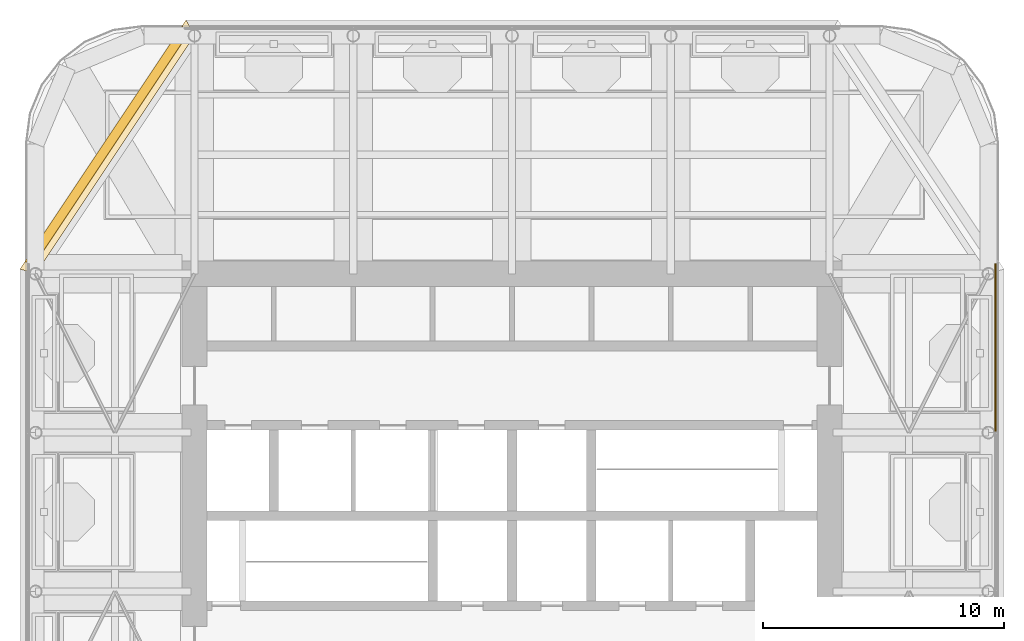
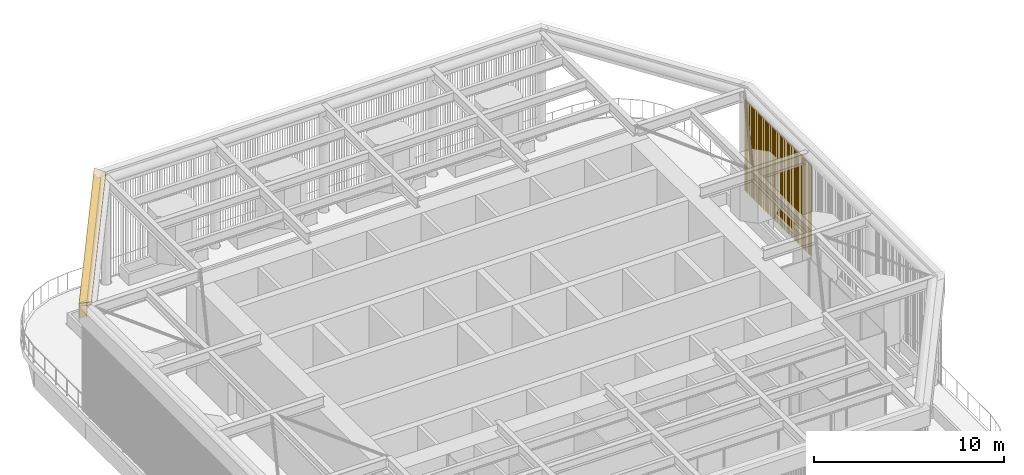
# One storey, part 17 of 22: 3 coverings.
"""IFC4 building model written with IfcOpenShell, lengths in metres."""

from ifc_helpers import new_model, si_unit, direction, frame, origin, place, context, subcontext, project, spatial, polyline, outline, extrude, material, layer, layer_set, type_object, element, save


model = new_model("IFC4")

# Units and contexts
model_context = context("Model", 3, precision=1e-05, world=origin(), true_north=direction((0.0, 1.0)))
body_context = subcontext(model_context, "Body", "Model", "MODEL_VIEW")
ifc_project = project(units=[si_unit("LENGTHUNIT", "METRE"), si_unit("AREAUNIT", "SQUARE_METRE"), si_unit("VOLUMEUNIT", "CUBIC_METRE"), si_unit("PLANEANGLEUNIT", "RADIAN"), si_unit("MASSUNIT", "GRAM", prefix="KILO")], contexts=[model_context])

# Site, building, storey
site_placement = place(None, origin())
site = spatial("IfcSite", under=ifc_project, at=site_placement, CompositionType="ELEMENT")
building_placement = place(site_placement, origin())
building = spatial("IfcBuilding", under=site, at=building_placement, Name="Cobogo Forest Laboratory Tower", CompositionType="ELEMENT")
storey_placement = place(building_placement, frame((0.0, 0.0, 292.800048828125)))
storey = spatial("IfcBuildingStorey", under=building, at=storey_placement, Name="RF", CompositionType="ELEMENT", Elevation=292.800048828125)

# Coverings
ifc_material_1 = material(Name="Terracotta rainscreen panels on steel brackets", Category="masonry")
ifc_layer_1 = layer(ifc_material_1, 0.389892578125)
ifc_layer_set_1 = layer_set([ifc_layer_1], Name="CF1 crown terracotta fascia 390")
covering_type_1 = type_object("IfcCoveringType", Name="CF1 crown terracotta fascia 390", PredefinedType="CLADDING", material=ifc_layer_set_1)
covering_1_placement = place(storey_placement, frame((0.0, 0.0, 5.89990234375)))
element("IfcCovering", 1, at=covering_1_placement, inside=storey, type_object=covering_type_1, Name="Crown fascia NW", PredefinedType="CLADDING", context=body_context, shape_type="SweptSolid", body=[
    extrude(outline(polyline([(12.699951171875, 43.32177734375), (5.949951171875, 33.19677734375), (6.152099609375, 33.5), (6.60009765625, 33.5), (6.60009765625, 33.46875), (6.340087890625, 33.07861328125), (12.887451171875, 42.89990234375), (12.699951171875, 42.89990234375), (12.699951171875, 43.32177734375)])), origin(), (0.0, 0.0, 1.0), 1.00048828125),
])
ifc_material_2 = material(Name="Terracotta coping on steel brackets", Category="masonry")
ifc_layer_2 = layer(ifc_material_2, 0.199951171875)
ifc_layer_set_2 = layer_set([ifc_layer_2], Name="CF2 crown fascia coping 650")
covering_type_2 = type_object("IfcCoveringType", Name="CF2 crown fascia coping 650", PredefinedType="CLADDING", material=ifc_layer_set_2)
covering_2_placement = place(storey_placement, frame((0.0, 0.0, 6.900390625)))
element("IfcCovering", 2, at=covering_2_placement, inside=storey, type_object=covering_type_2, Name="Crown fascia coping NW", PredefinedType="CLADDING", context=body_context, shape_type="SweptSolid", body=[
    extrude(outline(polyline([(13.199951171875, 42.89990234375), (12.85205078125, 43.550048828125), (5.949951171875, 33.19677734375), (6.60009765625, 33.0), (13.199951171875, 42.89990234375)])), origin(), (0.0, 0.0, 1.0), 0.199462890625),
])
ifc_material_3 = material(Name="Terracotta baguettes on a galvanised steel top rail", Category="masonry")
covering_type_3 = type_object("IfcCoveringType", Name="CS1 crown terracotta baguette screen", PredefinedType="CLADDING", material=ifc_material_3)
covering_3_placement = place(storey_placement, frame((46.5, 26.47509765625, -0.0009765625)))
element("IfcCovering", 3, at=covering_3_placement, inside=storey, type_object=covering_type_3, Name="Crown screen E3", PredefinedType="CLADDING", context=body_context, shape_type="SweptSolid", body=[
    extrude(outline(polyline([(0.02880859375, 0.011962890625), (0.011962890625, 0.02880859375), (-0.011962890625, 0.02880859375), (-0.02880859375, 0.011962890625), (-0.02880859375, -0.011962890625), (-0.011962890625, -0.02880859375), (0.011962890625, -0.02880859375), (0.02880859375, -0.011962890625), (0.02880859375, 0.011962890625)])), frame((0.0, 0.0, 5.873046875), z_axis=(0.0, 1.0, 0.0), x_axis=(-1.0, 0.0, 0.0)), (0.0, 0.0, 1.0), 6.9248046875),
    extrude(outline(polyline([(0.02880859375, 0.011962890625), (0.011962890625, 0.02880859375), (-0.011962890625, 0.02880859375), (-0.02880859375, 0.011962890625), (-0.02880859375, -0.011962890625), (-0.011962890625, -0.02880859375), (0.011962890625, -0.02880859375), (0.02880859375, -0.011962890625), (0.02880859375, 0.011962890625)])), origin(), (0.0, 0.0, 1.0), 5.841796875),
    extrude(outline(polyline([(0.02880859375, 0.011962890625), (0.011962890625, 0.02880859375), (-0.011962890625, 0.02880859375), (-0.02880859375, 0.011962890625), (-0.02880859375, -0.011962890625), (-0.011962890625, -0.02880859375), (0.011962890625, -0.02880859375), (0.02880859375, -0.011962890625), (0.02880859375, 0.011962890625)])), frame((0.0, 0.147216796875, 0.0)), (0.0, 0.0, 1.0), 5.841796875),
    extrude(outline(polyline([(0.02880859375, 0.011962890625), (0.011962890625, 0.02880859375), (-0.011962890625, 0.02880859375), (-0.02880859375, 0.011962890625), (-0.02880859375, -0.011962890625), (-0.011962890625, -0.02880859375), (0.011962890625, -0.02880859375), (0.02880859375, -0.011962890625), (0.02880859375, 0.011962890625)])), frame((0.0, 0.294677734375, 0.0)), (0.0, 0.0, 1.0), 5.841796875),
    extrude(outline(polyline([(0.02880859375, 0.011962890625), (0.011962890625, 0.02880859375), (-0.011962890625, 0.02880859375), (-0.02880859375, 0.011962890625), (-0.02880859375, -0.011962890625), (-0.011962890625, -0.02880859375), (0.011962890625, -0.02880859375), (0.02880859375, -0.011962890625), (0.02880859375, 0.011962890625)])), frame((0.0, 0.44189453125, 0.0)), (0.0, 0.0, 1.0), 5.841796875),
    extrude(outline(polyline([(0.02880859375, 0.011962890625), (0.011962890625, 0.02880859375), (-0.011962890625, 0.02880859375), (-0.02880859375, 0.011962890625), (-0.02880859375, -0.011962890625), (-0.011962890625, -0.02880859375), (0.011962890625, -0.02880859375), (0.02880859375, -0.011962890625), (0.02880859375, 0.011962890625)])), frame((0.0, 0.58935546875, 0.0)), (0.0, 0.0, 1.0), 5.841796875),
    extrude(outline(polyline([(0.02880859375, 0.011962890625), (0.011962890625, 0.02880859375), (-0.011962890625, 0.02880859375), (-0.02880859375, 0.011962890625), (-0.02880859375, -0.011962890625), (-0.011962890625, -0.02880859375), (0.011962890625, -0.02880859375), (0.02880859375, -0.011962890625), (0.02880859375, 0.011962890625)])), frame((0.0, 0.736572265625, 0.0)), (0.0, 0.0, 1.0), 5.841796875),
    extrude(outline(polyline([(0.02880859375, 0.011962890625), (0.011962890625, 0.02880859375), (-0.011962890625, 0.02880859375), (-0.02880859375, 0.011962890625), (-0.02880859375, -0.011962890625), (-0.011962890625, -0.02880859375), (0.011962890625, -0.02880859375), (0.02880859375, -0.011962890625), (0.02880859375, 0.011962890625)])), frame((0.0, 0.884033203125, 0.0)), (0.0, 0.0, 1.0), 5.841796875),
    extrude(outline(polyline([(0.02880859375, 0.011962890625), (0.011962890625, 0.02880859375), (-0.011962890625, 0.02880859375), (-0.02880859375, 0.011962890625), (-0.02880859375, -0.011962890625), (-0.011962890625, -0.02880859375), (0.011962890625, -0.02880859375), (0.02880859375, -0.011962890625), (0.02880859375, 0.011962890625)])), frame((0.0, 1.03125, 0.0)), (0.0, 0.0, 1.0), 5.841796875),
    extrude(outline(polyline([(0.02880859375, 0.011962890625), (0.011962890625, 0.02880859375), (-0.011962890625, 0.02880859375), (-0.02880859375, 0.011962890625), (-0.02880859375, -0.011962890625), (-0.011962890625, -0.02880859375), (0.011962890625, -0.02880859375), (0.02880859375, -0.011962890625), (0.02880859375, 0.011962890625)])), frame((0.0, 1.1787109375, 0.0)), (0.0, 0.0, 1.0), 5.841796875),
    extrude(outline(polyline([(0.02880859375, 0.011962890625), (0.011962890625, 0.02880859375), (-0.011962890625, 0.02880859375), (-0.02880859375, 0.011962890625), (-0.02880859375, -0.011962890625), (-0.011962890625, -0.02880859375), (0.011962890625, -0.02880859375), (0.02880859375, -0.011962890625), (0.02880859375, 0.011962890625)])), frame((0.0, 1.325927734375, 0.0)), (0.0, 0.0, 1.0), 5.841796875),
    extrude(outline(polyline([(0.02880859375, 0.011962890625), (0.011962890625, 0.02880859375), (-0.011962890625, 0.02880859375), (-0.02880859375, 0.011962890625), (-0.02880859375, -0.011962890625), (-0.011962890625, -0.02880859375), (0.011962890625, -0.02880859375), (0.02880859375, -0.011962890625), (0.02880859375, 0.011962890625)])), frame((0.0, 1.473388671875, 0.0)), (0.0, 0.0, 1.0), 5.841796875),
    extrude(outline(polyline([(0.02880859375, 0.011962890625), (0.011962890625, 0.02880859375), (-0.011962890625, 0.02880859375), (-0.02880859375, 0.011962890625), (-0.02880859375, -0.011962890625), (-0.011962890625, -0.02880859375), (0.011962890625, -0.02880859375), (0.02880859375, -0.011962890625), (0.02880859375, 0.011962890625)])), frame((0.0, 1.62060546875, 0.0)), (0.0, 0.0, 1.0), 5.841796875),
    extrude(outline(polyline([(0.02880859375, 0.011962890625), (0.011962890625, 0.02880859375), (-0.011962890625, 0.02880859375), (-0.02880859375, 0.011962890625), (-0.02880859375, -0.011962890625), (-0.011962890625, -0.02880859375), (0.011962890625, -0.02880859375), (0.02880859375, -0.011962890625), (0.02880859375, 0.011962890625)])), frame((0.0, 1.76806640625, 0.0)), (0.0, 0.0, 1.0), 5.841796875),
    extrude(outline(polyline([(0.02880859375, 0.011962890625), (0.011962890625, 0.02880859375), (-0.011962890625, 0.02880859375), (-0.02880859375, 0.011962890625), (-0.02880859375, -0.011962890625), (-0.011962890625, -0.02880859375), (0.011962890625, -0.02880859375), (0.02880859375, -0.011962890625), (0.02880859375, 0.011962890625)])), frame((0.0, 1.915283203125, 0.0)), (0.0, 0.0, 1.0), 5.841796875),
    extrude(outline(polyline([(0.02880859375, 0.011962890625), (0.011962890625, 0.02880859375), (-0.011962890625, 0.02880859375), (-0.02880859375, 0.011962890625), (-0.02880859375, -0.011962890625), (-0.011962890625, -0.02880859375), (0.011962890625, -0.02880859375), (0.02880859375, -0.011962890625), (0.02880859375, 0.011962890625)])), frame((0.0, 2.062744140625, 0.0)), (0.0, 0.0, 1.0), 5.841796875),
    extrude(outline(polyline([(0.02880859375, 0.011962890625), (0.011962890625, 0.02880859375), (-0.011962890625, 0.02880859375), (-0.02880859375, 0.011962890625), (-0.02880859375, -0.011962890625), (-0.011962890625, -0.02880859375), (0.011962890625, -0.02880859375), (0.02880859375, -0.011962890625), (0.02880859375, 0.011962890625)])), frame((0.0, 2.2099609375, 0.0)), (0.0, 0.0, 1.0), 5.841796875),
    extrude(outline(polyline([(0.02880859375, 0.011962890625), (0.011962890625, 0.02880859375), (-0.011962890625, 0.02880859375), (-0.02880859375, 0.011962890625), (-0.02880859375, -0.011962890625), (-0.011962890625, -0.02880859375), (0.011962890625, -0.02880859375), (0.02880859375, -0.011962890625), (0.02880859375, 0.011962890625)])), frame((0.0, 2.357421875, 0.0)), (0.0, 0.0, 1.0), 5.841796875),
    extrude(outline(polyline([(0.02880859375, 0.011962890625), (0.011962890625, 0.02880859375), (-0.011962890625, 0.02880859375), (-0.02880859375, 0.011962890625), (-0.02880859375, -0.011962890625), (-0.011962890625, -0.02880859375), (0.011962890625, -0.02880859375), (0.02880859375, -0.011962890625), (0.02880859375, 0.011962890625)])), frame((0.0, 2.504638671875, 0.0)), (0.0, 0.0, 1.0), 5.841796875),
    extrude(outline(polyline([(0.02880859375, 0.011962890625), (0.011962890625, 0.02880859375), (-0.011962890625, 0.02880859375), (-0.02880859375, 0.011962890625), (-0.02880859375, -0.011962890625), (-0.011962890625, -0.02880859375), (0.011962890625, -0.02880859375), (0.02880859375, -0.011962890625), (0.02880859375, 0.011962890625)])), frame((0.0, 2.652099609375, 0.0)), (0.0, 0.0, 1.0), 5.841796875),
    extrude(outline(polyline([(0.02880859375, 0.011962890625), (0.011962890625, 0.02880859375), (-0.011962890625, 0.02880859375), (-0.02880859375, 0.011962890625), (-0.02880859375, -0.011962890625), (-0.011962890625, -0.02880859375), (0.011962890625, -0.02880859375), (0.02880859375, -0.011962890625), (0.02880859375, 0.011962890625)])), frame((0.0, 2.79931640625, 0.0)), (0.0, 0.0, 1.0), 5.841796875),
    extrude(outline(polyline([(0.02880859375, 0.011962890625), (0.011962890625, 0.02880859375), (-0.011962890625, 0.02880859375), (-0.02880859375, 0.011962890625), (-0.02880859375, -0.011962890625), (-0.011962890625, -0.02880859375), (0.011962890625, -0.02880859375), (0.02880859375, -0.011962890625), (0.02880859375, 0.011962890625)])), frame((0.0, 2.94677734375, 0.0)), (0.0, 0.0, 1.0), 5.841796875),
    extrude(outline(polyline([(0.02880859375, 0.011962890625), (0.011962890625, 0.02880859375), (-0.011962890625, 0.02880859375), (-0.02880859375, 0.011962890625), (-0.02880859375, -0.011962890625), (-0.011962890625, -0.02880859375), (0.011962890625, -0.02880859375), (0.02880859375, -0.011962890625), (0.02880859375, 0.011962890625)])), frame((0.0, 3.093994140625, 0.0)), (0.0, 0.0, 1.0), 5.841796875),
    extrude(outline(polyline([(0.02880859375, 0.011962890625), (0.011962890625, 0.02880859375), (-0.011962890625, 0.02880859375), (-0.02880859375, 0.011962890625), (-0.02880859375, -0.011962890625), (-0.011962890625, -0.02880859375), (0.011962890625, -0.02880859375), (0.02880859375, -0.011962890625), (0.02880859375, 0.011962890625)])), frame((0.0, 3.241455078125, 0.0)), (0.0, 0.0, 1.0), 5.841796875),
    extrude(outline(polyline([(0.02880859375, 0.011962890625), (0.011962890625, 0.02880859375), (-0.011962890625, 0.02880859375), (-0.02880859375, 0.011962890625), (-0.02880859375, -0.011962890625), (-0.011962890625, -0.02880859375), (0.011962890625, -0.02880859375), (0.02880859375, -0.011962890625), (0.02880859375, 0.011962890625)])), frame((0.0, 3.388671875, 0.0)), (0.0, 0.0, 1.0), 5.841796875),
    extrude(outline(polyline([(0.02880859375, 0.011962890625), (0.011962890625, 0.02880859375), (-0.011962890625, 0.02880859375), (-0.02880859375, 0.011962890625), (-0.02880859375, -0.011962890625), (-0.011962890625, -0.02880859375), (0.011962890625, -0.02880859375), (0.02880859375, -0.011962890625), (0.02880859375, 0.011962890625)])), frame((0.0, 3.5361328125, 0.0)), (0.0, 0.0, 1.0), 5.841796875),
    extrude(outline(polyline([(0.02880859375, 0.011962890625), (0.011962890625, 0.02880859375), (-0.011962890625, 0.02880859375), (-0.02880859375, 0.011962890625), (-0.02880859375, -0.011962890625), (-0.011962890625, -0.02880859375), (0.011962890625, -0.02880859375), (0.02880859375, -0.011962890625), (0.02880859375, 0.011962890625)])), frame((0.0, 3.683349609375, 0.0)), (0.0, 0.0, 1.0), 5.841796875),
    extrude(outline(polyline([(0.02880859375, 0.011962890625), (0.011962890625, 0.02880859375), (-0.011962890625, 0.02880859375), (-0.02880859375, 0.011962890625), (-0.02880859375, -0.011962890625), (-0.011962890625, -0.02880859375), (0.011962890625, -0.02880859375), (0.02880859375, -0.011962890625), (0.02880859375, 0.011962890625)])), frame((0.0, 3.830810546875, 0.0)), (0.0, 0.0, 1.0), 5.841796875),
    extrude(outline(polyline([(0.02880859375, 0.011962890625), (0.011962890625, 0.02880859375), (-0.011962890625, 0.02880859375), (-0.02880859375, 0.011962890625), (-0.02880859375, -0.011962890625), (-0.011962890625, -0.02880859375), (0.011962890625, -0.02880859375), (0.02880859375, -0.011962890625), (0.02880859375, 0.011962890625)])), frame((0.0, 3.97802734375, 0.0)), (0.0, 0.0, 1.0), 5.841796875),
    extrude(outline(polyline([(0.02880859375, 0.011962890625), (0.011962890625, 0.02880859375), (-0.011962890625, 0.02880859375), (-0.02880859375, 0.011962890625), (-0.02880859375, -0.011962890625), (-0.011962890625, -0.02880859375), (0.011962890625, -0.02880859375), (0.02880859375, -0.011962890625), (0.02880859375, 0.011962890625)])), frame((0.0, 4.12548828125, 0.0)), (0.0, 0.0, 1.0), 5.841796875),
    extrude(outline(polyline([(0.02880859375, 0.011962890625), (0.011962890625, 0.02880859375), (-0.011962890625, 0.02880859375), (-0.02880859375, 0.011962890625), (-0.02880859375, -0.011962890625), (-0.011962890625, -0.02880859375), (0.011962890625, -0.02880859375), (0.02880859375, -0.011962890625), (0.02880859375, 0.011962890625)])), frame((0.0, 4.272705078125, 0.0)), (0.0, 0.0, 1.0), 5.841796875),
    extrude(outline(polyline([(0.02880859375, 0.011962890625), (0.011962890625, 0.02880859375), (-0.011962890625, 0.02880859375), (-0.02880859375, 0.011962890625), (-0.02880859375, -0.011962890625), (-0.011962890625, -0.02880859375), (0.011962890625, -0.02880859375), (0.02880859375, -0.011962890625), (0.02880859375, 0.011962890625)])), frame((0.0, 4.420166015625, 0.0)), (0.0, 0.0, 1.0), 5.841796875),
    extrude(outline(polyline([(0.02880859375, 0.011962890625), (0.011962890625, 0.02880859375), (-0.011962890625, 0.02880859375), (-0.02880859375, 0.011962890625), (-0.02880859375, -0.011962890625), (-0.011962890625, -0.02880859375), (0.011962890625, -0.02880859375), (0.02880859375, -0.011962890625), (0.02880859375, 0.011962890625)])), frame((0.0, 4.5673828125, 0.0)), (0.0, 0.0, 1.0), 5.841796875),
    extrude(outline(polyline([(0.02880859375, 0.011962890625), (0.011962890625, 0.02880859375), (-0.011962890625, 0.02880859375), (-0.02880859375, 0.011962890625), (-0.02880859375, -0.011962890625), (-0.011962890625, -0.02880859375), (0.011962890625, -0.02880859375), (0.02880859375, -0.011962890625), (0.02880859375, 0.011962890625)])), frame((0.0, 4.71484375, 0.0)), (0.0, 0.0, 1.0), 5.841796875),
    extrude(outline(polyline([(0.02880859375, 0.011962890625), (0.011962890625, 0.02880859375), (-0.011962890625, 0.02880859375), (-0.02880859375, 0.011962890625), (-0.02880859375, -0.011962890625), (-0.011962890625, -0.02880859375), (0.011962890625, -0.02880859375), (0.02880859375, -0.011962890625), (0.02880859375, 0.011962890625)])), frame((0.0, 4.862060546875, 0.0)), (0.0, 0.0, 1.0), 5.841796875),
    extrude(outline(polyline([(0.02880859375, 0.011962890625), (0.011962890625, 0.02880859375), (-0.011962890625, 0.02880859375), (-0.02880859375, 0.011962890625), (-0.02880859375, -0.011962890625), (-0.011962890625, -0.02880859375), (0.011962890625, -0.02880859375), (0.02880859375, -0.011962890625), (0.02880859375, 0.011962890625)])), frame((0.0, 5.009521484375, 0.0)), (0.0, 0.0, 1.0), 5.841796875),
    extrude(outline(polyline([(0.02880859375, 0.011962890625), (0.011962890625, 0.02880859375), (-0.011962890625, 0.02880859375), (-0.02880859375, 0.011962890625), (-0.02880859375, -0.011962890625), (-0.011962890625, -0.02880859375), (0.011962890625, -0.02880859375), (0.02880859375, -0.011962890625), (0.02880859375, 0.011962890625)])), frame((0.0, 5.15673828125, 0.0)), (0.0, 0.0, 1.0), 5.841796875),
    extrude(outline(polyline([(0.02880859375, 0.011962890625), (0.011962890625, 0.02880859375), (-0.011962890625, 0.02880859375), (-0.02880859375, 0.011962890625), (-0.02880859375, -0.011962890625), (-0.011962890625, -0.02880859375), (0.011962890625, -0.02880859375), (0.02880859375, -0.011962890625), (0.02880859375, 0.011962890625)])), frame((0.0, 5.30419921875, 0.0)), (0.0, 0.0, 1.0), 5.841796875),
    extrude(outline(polyline([(0.02880859375, 0.011962890625), (0.011962890625, 0.02880859375), (-0.011962890625, 0.02880859375), (-0.02880859375, 0.011962890625), (-0.02880859375, -0.011962890625), (-0.011962890625, -0.02880859375), (0.011962890625, -0.02880859375), (0.02880859375, -0.011962890625), (0.02880859375, 0.011962890625)])), frame((0.0, 5.451416015625, 0.0)), (0.0, 0.0, 1.0), 5.841796875),
    extrude(outline(polyline([(0.02880859375, 0.011962890625), (0.011962890625, 0.02880859375), (-0.011962890625, 0.02880859375), (-0.02880859375, 0.011962890625), (-0.02880859375, -0.011962890625), (-0.011962890625, -0.02880859375), (0.011962890625, -0.02880859375), (0.02880859375, -0.011962890625), (0.02880859375, 0.011962890625)])), frame((0.0, 5.598876953125, 0.0)), (0.0, 0.0, 1.0), 5.841796875),
    extrude(outline(polyline([(0.02880859375, 0.011962890625), (0.011962890625, 0.02880859375), (-0.011962890625, 0.02880859375), (-0.02880859375, 0.011962890625), (-0.02880859375, -0.011962890625), (-0.011962890625, -0.02880859375), (0.011962890625, -0.02880859375), (0.02880859375, -0.011962890625), (0.02880859375, 0.011962890625)])), frame((0.0, 5.74609375, 0.0)), (0.0, 0.0, 1.0), 5.841796875),
    extrude(outline(polyline([(0.02880859375, 0.011962890625), (0.011962890625, 0.02880859375), (-0.011962890625, 0.02880859375), (-0.02880859375, 0.011962890625), (-0.02880859375, -0.011962890625), (-0.011962890625, -0.02880859375), (0.011962890625, -0.02880859375), (0.02880859375, -0.011962890625), (0.02880859375, 0.011962890625)])), frame((0.0, 5.8935546875, 0.0)), (0.0, 0.0, 1.0), 5.841796875),
    extrude(outline(polyline([(0.02880859375, 0.011962890625), (0.011962890625, 0.02880859375), (-0.011962890625, 0.02880859375), (-0.02880859375, 0.011962890625), (-0.02880859375, -0.011962890625), (-0.011962890625, -0.02880859375), (0.011962890625, -0.02880859375), (0.02880859375, -0.011962890625), (0.02880859375, 0.011962890625)])), frame((0.0, 6.040771484375, 0.0)), (0.0, 0.0, 1.0), 5.841796875),
    extrude(outline(polyline([(0.02880859375, 0.011962890625), (0.011962890625, 0.02880859375), (-0.011962890625, 0.02880859375), (-0.02880859375, 0.011962890625), (-0.02880859375, -0.011962890625), (-0.011962890625, -0.02880859375), (0.011962890625, -0.02880859375), (0.02880859375, -0.011962890625), (0.02880859375, 0.011962890625)])), frame((0.0, 6.188232421875, 0.0)), (0.0, 0.0, 1.0), 5.841796875),
    extrude(outline(polyline([(0.02880859375, 0.011962890625), (0.011962890625, 0.02880859375), (-0.011962890625, 0.02880859375), (-0.02880859375, 0.011962890625), (-0.02880859375, -0.011962890625), (-0.011962890625, -0.02880859375), (0.011962890625, -0.02880859375), (0.02880859375, -0.011962890625), (0.02880859375, 0.011962890625)])), frame((0.0, 6.33544921875, 0.0)), (0.0, 0.0, 1.0), 5.841796875),
    extrude(outline(polyline([(0.02880859375, 0.011962890625), (0.011962890625, 0.02880859375), (-0.011962890625, 0.02880859375), (-0.02880859375, 0.011962890625), (-0.02880859375, -0.011962890625), (-0.011962890625, -0.02880859375), (0.011962890625, -0.02880859375), (0.02880859375, -0.011962890625), (0.02880859375, 0.011962890625)])), frame((0.0, 6.48291015625, 0.0)), (0.0, 0.0, 1.0), 5.841796875),
    extrude(outline(polyline([(0.02880859375, 0.011962890625), (0.011962890625, 0.02880859375), (-0.011962890625, 0.02880859375), (-0.02880859375, 0.011962890625), (-0.02880859375, -0.011962890625), (-0.011962890625, -0.02880859375), (0.011962890625, -0.02880859375), (0.02880859375, -0.011962890625), (0.02880859375, 0.011962890625)])), frame((0.0, 6.630126953125, 0.0)), (0.0, 0.0, 1.0), 5.841796875),
    extrude(outline(polyline([(0.02880859375, 0.011962890625), (0.011962890625, 0.02880859375), (-0.011962890625, 0.02880859375), (-0.02880859375, 0.011962890625), (-0.02880859375, -0.011962890625), (-0.011962890625, -0.02880859375), (0.011962890625, -0.02880859375), (0.02880859375, -0.011962890625), (0.02880859375, 0.011962890625)])), frame((0.0, 6.777587890625, 0.0)), (0.0, 0.0, 1.0), 5.841796875),
    extrude(outline(polyline([(0.02880859375, 0.011962890625), (0.011962890625, 0.02880859375), (-0.011962890625, 0.02880859375), (-0.02880859375, 0.011962890625), (-0.02880859375, -0.011962890625), (-0.011962890625, -0.02880859375), (0.011962890625, -0.02880859375), (0.02880859375, -0.011962890625), (0.02880859375, 0.011962890625)])), frame((0.0, 6.9248046875, 0.0)), (0.0, 0.0, 1.0), 5.841796875),
])

save(model, "model.ifc")
